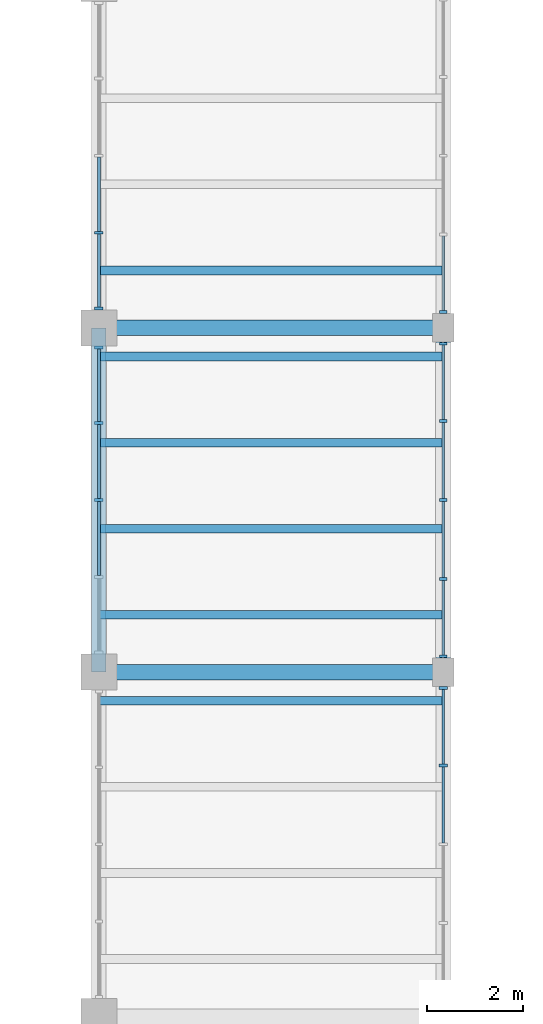
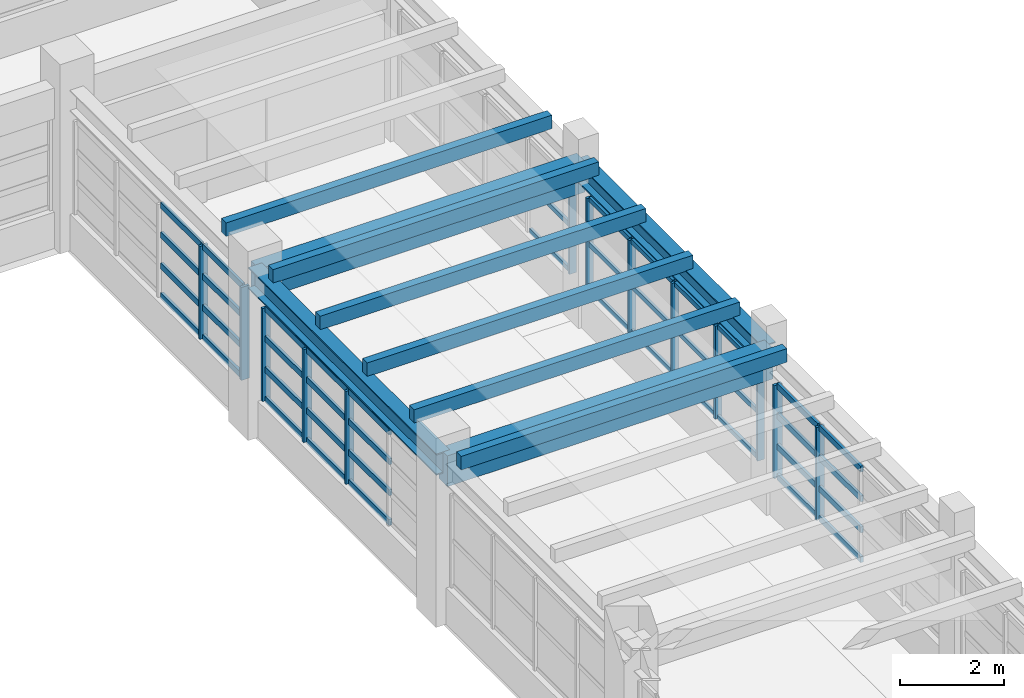
# One storey, part 5 of 69: 61 members, 4 beams, 5 elements without a shape of their own.
"""IFC4 building model written with IfcOpenShell, lengths in metres."""

from ifc_helpers import new_model, si_unit, direction, frame, origin, origin_2d, place, context, subcontext, project, spatial, rectangle, i_section, extrude, material, material_profile, profile_set, type_object, element, aggregate, save


model = new_model("IFC4")

# Units and contexts
model_context = context("Model", 3, precision=1e-05, world=origin(), true_north=direction((0.0, 1.0)))
body_context = subcontext(model_context, "Body", "Model", "MODEL_VIEW")
ifc_project = project(units=[si_unit("LENGTHUNIT", "METRE"), si_unit("AREAUNIT", "SQUARE_METRE"), si_unit("VOLUMEUNIT", "CUBIC_METRE"), si_unit("PLANEANGLEUNIT", "RADIAN"), si_unit("MASSUNIT", "GRAM", prefix="KILO")], contexts=[model_context])

# Site, building, storey
site_placement = place(None, origin())
site = spatial("IfcSite", under=ifc_project, at=site_placement, CompositionType="ELEMENT")
building_placement = place(site_placement, origin())
building = spatial("IfcBuilding", under=site, at=building_placement, Name="Nzembalo Square Collegiate School", CompositionType="ELEMENT")
storey_placement = place(building_placement, frame((0.0, 0.0, 5.10009765625)))
storey = spatial("IfcBuildingStorey", under=building, at=storey_placement, Name="L01", CompositionType="ELEMENT", Elevation=5.10009765625)

# Beams
ifc_material_1 = material(Name="Glulam GL32h", Category="wood")
ifc_material_profile_1 = material_profile(ifc_material_1, rectangle(XDim=0.320068359375, YDim=0.719970703125, at=origin_2d()), Name="GL32h 320x720")
ifc_profile_set_1 = profile_set([ifc_material_profile_1], Name="Glulam GL32h")
beam_type_1 = type_object("IfcBeamType", Name="B03", PredefinedType="BEAM", material=ifc_profile_set_1)
for number, where, z_axis, x_axis, name in (
    (1, (30.0, 30.0, 3.389892578125), (1.0, 0.0, 0.0), (0.0, 1.0, 0.0), "Beam B03 L01"),
    (2, (30.0, 37.199951171875, 3.389892578125), (1.0, 0.0, 0.0), (0.0, 1.0, 0.0), "Beam B03 L01"),
):
    element("IfcBeam", number, at=place(storey_placement, frame(where, z_axis=z_axis, x_axis=x_axis)), inside=storey, type_object=beam_type_1, Name=name, PredefinedType="BEAM", context=body_context, shape_type="SweptSolid", body=[
        extrude(rectangle(XDim=0.320068359375, YDim=0.719970703125, at=origin_2d()), origin(), (0.0, 0.0, 1.0), 7.199951171875),
    ])
ifc_material_2 = material(Name="Steel S355", Category="steel")
ifc_material_profile_2 = material_profile(ifc_material_2, i_section(OverallWidth=0.300048828125, OverallDepth=0.5, WebThickness=0.014404296875, FlangeThickness=0.028076171875, at=origin_2d()), Name="HEB 500")
ifc_profile_set_2 = profile_set([ifc_material_profile_2], Name="Steel S355")
beam_type_2 = type_object("IfcBeamType", Name="B07", PredefinedType="BEAM", material=ifc_profile_set_2)
beam_1_placement = place(storey_placement, frame((30.0, 30.0, 3.5), z_axis=(0.0, 1.0, 0.0), x_axis=(-1.0, 0.0, 0.0)))
element("IfcBeam", 3, at=beam_1_placement, inside=storey, type_object=beam_type_2, Name="Beam B07 L01", PredefinedType="BEAM", context=body_context, shape_type="SweptSolid", body=[
    extrude(i_section(OverallWidth=0.300048828125, OverallDepth=0.5, WebThickness=0.014404296875, FlangeThickness=0.028076171875, at=origin_2d()), origin(), (0.0, 0.0, 1.0), 7.199951171875),
])
ifc_material_3 = material(Name="Steel S355", Category="steel")
ifc_material_profile_3 = material_profile(ifc_material_3, i_section(OverallWidth=0.300048828125, OverallDepth=0.449951171875, WebThickness=0.013916015625, FlangeThickness=0.02587890625, at=origin_2d()), Name="HEB 450")
ifc_profile_set_3 = profile_set([ifc_material_profile_3], Name="Steel S355")
beam_type_3 = type_object("IfcBeamType", Name="B08", PredefinedType="BEAM", material=ifc_profile_set_3)
beam_2_placement = place(storey_placement, frame((37.199951171875, 30.0, 3.52490234375), z_axis=(0.0, 1.0, 0.0), x_axis=(-1.0, 0.0, 0.0)))
element("IfcBeam", 4, at=beam_2_placement, inside=storey, type_object=beam_type_3, Name="Beam B08 L01", PredefinedType="BEAM", context=body_context, shape_type="SweptSolid", body=[
    extrude(i_section(OverallWidth=0.300048828125, OverallDepth=0.449951171875, WebThickness=0.013916015625, FlangeThickness=0.02587890625, at=origin_2d()), origin(), (0.0, 0.0, 1.0), 7.199951171875),
])

# Curtain wall, members
ifc_material_4 = material(Name="Aluminium 6060-T66", Category="aluminium")
curtain_wall_type_1 = type_object("IfcCurtainWallType", Name="CW-02", PredefinedType="USERDEFINED", material=ifc_material_4)
curtain_wall_1_placement = place(storey_placement, origin())
curtain_wall_1 = element("IfcCurtainWall", 5, at=curtain_wall_1_placement, inside=storey, type_object=curtain_wall_type_1, Name="Curtain wall CW-02 cw:L01:041", ObjectType="UNITISED", PredefinedType="USERDEFINED")
ifc_material_5 = material(Name="Aluminium 6060-T66", Category="aluminium")
ifc_material_profile_4 = material_profile(ifc_material_5, rectangle(XDim=0.06005859375, YDim=0.179931640625, at=origin_2d()), Name="ALU M60x180")
ifc_profile_set_4 = profile_set([ifc_material_profile_4], Name="Aluminium 6060-T66")
member_type_1 = type_object("IfcMemberType", Name="ML01", PredefinedType="MULLION", material=ifc_profile_set_4)
member_1_placement = place(storey_placement, frame((37.199951171875, 28.049072265625, 0.849853515625), z_axis=(0.0, 0.0, 1.0), x_axis=(0.0, 1.0, 0.0)))
member_1 = element("IfcMember", 6, at=member_1_placement, type_object=member_type_1, Name="ML01 mullion 4", PredefinedType="MULLION", context=body_context, shape_type="SweptSolid", body=[
    extrude(rectangle(XDim=0.06005859375, YDim=0.179931640625, at=origin_2d()), origin(), (0.0, 0.0, 1.0), 2.174072265625),
])
member_2_placement = place(storey_placement, frame((37.199951171875, 29.66796875, 0.849853515625), z_axis=(0.0, 0.0, 1.0), x_axis=(0.0, 1.0, 0.0)))
member_2 = element("IfcMember", 7, at=member_2_placement, type_object=member_type_1, Name="ML01 mullion 5", PredefinedType="MULLION", context=body_context, shape_type="SweptSolid", body=[
    extrude(rectangle(XDim=0.06005859375, YDim=0.179931640625, at=origin_2d()), origin(), (0.0, 0.0, 1.0), 2.174072265625),
])

ifc_material_6 = material(Name="Aluminium 6060-T66", Category="aluminium")
curtain_wall_type_2 = type_object("IfcCurtainWallType", Name="CW-01", PredefinedType="USERDEFINED", material=ifc_material_6)
curtain_wall_2_placement = place(storey_placement, origin())
curtain_wall_2 = element("IfcCurtainWall", 8, at=curtain_wall_2_placement, inside=storey, type_object=curtain_wall_type_2, Name="Curtain wall CW-01 cw:L01:048", ObjectType="UNITISED", PredefinedType="USERDEFINED")
member_3_placement = place(storey_placement, frame((30.0, 33.60009765625, 0.849853515625), z_axis=(0.0, 0.0, 1.0), x_axis=(0.0, 1.0, 0.0)))
member_3 = element("IfcMember", 9, at=member_3_placement, type_object=member_type_1, Name="ML01 mullion 3", PredefinedType="MULLION", context=body_context, shape_type="SweptSolid", body=[
    extrude(rectangle(XDim=0.06005859375, YDim=0.179931640625, at=origin_2d()), origin(), (0.0, 0.0, 1.0), 2.174072265625),
])
member_4_placement = place(storey_placement, frame((30.0, 35.21142578125, 0.849853515625), z_axis=(0.0, 0.0, 1.0), x_axis=(0.0, 1.0, 0.0)))
member_4 = element("IfcMember", 10, at=member_4_placement, type_object=member_type_1, Name="ML01 mullion 4", PredefinedType="MULLION", context=body_context, shape_type="SweptSolid", body=[
    extrude(rectangle(XDim=0.06005859375, YDim=0.179931640625, at=origin_2d()), origin(), (0.0, 0.0, 1.0), 2.174072265625),
])
member_5_placement = place(storey_placement, frame((30.0, 36.79296875, 0.849853515625), z_axis=(0.0, 0.0, 1.0), x_axis=(0.0, 1.0, 0.0)))
member_5 = element("IfcMember", 11, at=member_5_placement, type_object=member_type_1, Name="ML01 mullion 5", PredefinedType="MULLION", context=body_context, shape_type="SweptSolid", body=[
    extrude(rectangle(XDim=0.06005859375, YDim=0.179931640625, at=origin_2d()), origin(), (0.0, 0.0, 1.0), 2.174072265625),
])

curtain_wall_3_placement = place(storey_placement, origin())
curtain_wall_3 = element("IfcCurtainWall", 12, at=curtain_wall_3_placement, inside=storey, type_object=curtain_wall_type_1, Name="Curtain wall CW-02 cw:L01:049", ObjectType="UNITISED", PredefinedType="USERDEFINED")
member_6_placement = place(storey_placement, frame((30.0, 37.60693359375, 0.849853515625), z_axis=(0.0, 0.0, 1.0), x_axis=(0.0, 1.0, 0.0)))
member_6 = element("IfcMember", 13, at=member_6_placement, type_object=member_type_1, Name="ML01 mullion 1", PredefinedType="MULLION", context=body_context, shape_type="SweptSolid", body=[
    extrude(rectangle(XDim=0.06005859375, YDim=0.179931640625, at=origin_2d()), origin(), (0.0, 0.0, 1.0), 2.174072265625),
])
member_7_placement = place(storey_placement, frame((30.0, 39.1884765625, 0.849853515625), z_axis=(0.0, 0.0, 1.0), x_axis=(0.0, 1.0, 0.0)))
member_7 = element("IfcMember", 14, at=member_7_placement, type_object=member_type_1, Name="ML01 mullion 2", PredefinedType="MULLION", context=body_context, shape_type="SweptSolid", body=[
    extrude(rectangle(XDim=0.06005859375, YDim=0.179931640625, at=origin_2d()), origin(), (0.0, 0.0, 1.0), 2.174072265625),
])

ifc_material_7 = material(Name="Aluminium 6060-T66", Category="aluminium")
curtain_wall_type_3 = type_object("IfcCurtainWallType", Name="CW-03", PredefinedType="USERDEFINED", material=ifc_material_7)
curtain_wall_4_placement = place(storey_placement, origin())
curtain_wall_4 = element("IfcCurtainWall", 15, at=curtain_wall_4_placement, inside=storey, type_object=curtain_wall_type_3, Name="Curtain wall CW-03 cw:L01:042", ObjectType="UNITISED", PredefinedType="USERDEFINED")
ifc_material_8 = material(Name="Aluminium 6060-T66", Category="aluminium")
ifc_material_profile_5 = material_profile(ifc_material_8, rectangle(XDim=0.06005859375, YDim=0.14990234375, at=origin_2d()), Name="ALU M60x150")
ifc_profile_set_5 = profile_set([ifc_material_profile_5], Name="Aluminium 6060-T66")
member_type_2 = type_object("IfcMemberType", Name="ML02", PredefinedType="MULLION", material=ifc_profile_set_5)
member_8_placement = place(storey_placement, frame((37.199951171875, 30.33203125, 0.849853515625), z_axis=(0.0, 0.0, 1.0), x_axis=(0.0, 1.0, 0.0)))
member_8 = element("IfcMember", 16, at=member_8_placement, type_object=member_type_2, Name="ML02 mullion 1", PredefinedType="MULLION", context=body_context, shape_type="SweptSolid", body=[
    extrude(rectangle(XDim=0.06005859375, YDim=0.14990234375, at=origin_2d()), origin(), (0.0, 0.0, 1.0), 2.174072265625),
])
member_9_placement = place(storey_placement, frame((37.199951171875, 31.950927734375, 0.849853515625), z_axis=(0.0, 0.0, 1.0), x_axis=(0.0, 1.0, 0.0)))
member_9 = element("IfcMember", 17, at=member_9_placement, type_object=member_type_2, Name="ML02 mullion 2", PredefinedType="MULLION", context=body_context, shape_type="SweptSolid", body=[
    extrude(rectangle(XDim=0.06005859375, YDim=0.14990234375, at=origin_2d()), origin(), (0.0, 0.0, 1.0), 2.174072265625),
])
member_10_placement = place(storey_placement, frame((37.199951171875, 33.60009765625, 0.849853515625), z_axis=(0.0, 0.0, 1.0), x_axis=(0.0, 1.0, 0.0)))
member_10 = element("IfcMember", 18, at=member_10_placement, type_object=member_type_2, Name="ML02 mullion 3", PredefinedType="MULLION", context=body_context, shape_type="SweptSolid", body=[
    extrude(rectangle(XDim=0.06005859375, YDim=0.14990234375, at=origin_2d()), origin(), (0.0, 0.0, 1.0), 2.174072265625),
])
member_11_placement = place(storey_placement, frame((37.199951171875, 35.2490234375, 0.849853515625), z_axis=(0.0, 0.0, 1.0), x_axis=(0.0, 1.0, 0.0)))
member_11 = element("IfcMember", 19, at=member_11_placement, type_object=member_type_2, Name="ML02 mullion 4", PredefinedType="MULLION", context=body_context, shape_type="SweptSolid", body=[
    extrude(rectangle(XDim=0.06005859375, YDim=0.14990234375, at=origin_2d()), origin(), (0.0, 0.0, 1.0), 2.174072265625),
])
member_12_placement = place(storey_placement, frame((37.199951171875, 36.867919921875, 0.849853515625), z_axis=(0.0, 0.0, 1.0), x_axis=(0.0, 1.0, 0.0)))
member_12 = element("IfcMember", 20, at=member_12_placement, type_object=member_type_2, Name="ML02 mullion 5", PredefinedType="MULLION", context=body_context, shape_type="SweptSolid", body=[
    extrude(rectangle(XDim=0.06005859375, YDim=0.14990234375, at=origin_2d()), origin(), (0.0, 0.0, 1.0), 2.174072265625),
])

# Curtain wall, member
ifc_material_9 = material(Name="Aluminium 6060-T66", Category="aluminium")
curtain_wall_type_4 = type_object("IfcCurtainWallType", Name="CW-04", PredefinedType="USERDEFINED", material=ifc_material_9)
curtain_wall_5_placement = place(storey_placement, origin())
curtain_wall_5 = element("IfcCurtainWall", 21, at=curtain_wall_5_placement, inside=storey, type_object=curtain_wall_type_4, Name="Curtain wall CW-04 cw:L01:043", ObjectType="UNITISED", PredefinedType="USERDEFINED")
member_13_placement = place(storey_placement, frame((37.199951171875, 37.531982421875, 0.849853515625), z_axis=(0.0, 0.0, 1.0), x_axis=(0.0, 1.0, 0.0)))
member_13 = element("IfcMember", 22, at=member_13_placement, type_object=member_type_2, Name="ML02 mullion 1", PredefinedType="MULLION", context=body_context, shape_type="SweptSolid", body=[
    extrude(rectangle(XDim=0.06005859375, YDim=0.14990234375, at=origin_2d()), origin(), (0.0, 0.0, 1.0), 2.174072265625),
])

# Member
ifc_material_10 = material(Name="Aluminium 6060-T66", Category="aluminium")
ifc_material_profile_6 = material_profile(ifc_material_10, rectangle(XDim=0.06005859375, YDim=0.139892578125, at=origin_2d()), Name="ALU T60x140")
ifc_profile_set_6 = profile_set([ifc_material_profile_6], Name="Aluminium 6060-T66")
member_type_3 = type_object("IfcMemberType", Name="TR01", PredefinedType="USERDEFINED", material=ifc_profile_set_6)
member_14_placement = place(storey_placement, frame((37.199951171875, 26.429931640625, 0.8798828125), z_axis=(0.0, 1.0, 0.0), x_axis=(-1.0, 0.0, 0.0)))
member_14 = element("IfcMember", 23, at=member_14_placement, type_object=member_type_3, Name="TR01 transom 1-3", ObjectType="TRANSOM", PredefinedType="USERDEFINED", context=body_context, shape_type="SweptSolid", body=[
    extrude(rectangle(XDim=0.06005859375, YDim=0.139892578125, at=origin_2d()), origin(), (0.0, 0.0, 1.0), 1.589111328125),
])

member_15_placement = place(storey_placement, frame((37.199951171875, 28.0791015625, 0.8798828125), z_axis=(0.0, 1.0, 0.0), x_axis=(-1.0, 0.0, 0.0)))
member_15 = element("IfcMember", 24, at=member_15_placement, type_object=member_type_3, Name="TR01 transom 1-4", ObjectType="TRANSOM", PredefinedType="USERDEFINED", context=body_context, shape_type="SweptSolid", body=[
    extrude(rectangle(XDim=0.06005859375, YDim=0.139892578125, at=origin_2d()), origin(), (0.0, 0.0, 1.0), 1.558837890625),
])

member_16_placement = place(storey_placement, frame((37.199951171875, 26.429931640625, 1.574462890625), z_axis=(0.0, 1.0, 0.0), x_axis=(-1.0, 0.0, 0.0)))
member_16 = element("IfcMember", 25, at=member_16_placement, type_object=member_type_3, Name="TR01 transom 2-3", ObjectType="TRANSOM", PredefinedType="USERDEFINED", context=body_context, shape_type="SweptSolid", body=[
    extrude(rectangle(XDim=0.06005859375, YDim=0.139892578125, at=origin_2d()), origin(), (0.0, 0.0, 1.0), 1.589111328125),
])

member_17_placement = place(storey_placement, frame((37.199951171875, 28.0791015625, 1.574462890625), z_axis=(0.0, 1.0, 0.0), x_axis=(-1.0, 0.0, 0.0)))
member_17 = element("IfcMember", 26, at=member_17_placement, type_object=member_type_3, Name="TR01 transom 2-4", ObjectType="TRANSOM", PredefinedType="USERDEFINED", context=body_context, shape_type="SweptSolid", body=[
    extrude(rectangle(XDim=0.06005859375, YDim=0.139892578125, at=origin_2d()), origin(), (0.0, 0.0, 1.0), 1.558837890625),
])

member_18_placement = place(storey_placement, frame((37.199951171875, 26.429931640625, 2.29931640625), z_axis=(0.0, 1.0, 0.0), x_axis=(-1.0, 0.0, 0.0)))
member_18 = element("IfcMember", 27, at=member_18_placement, type_object=member_type_3, Name="TR01 transom 3-3", ObjectType="TRANSOM", PredefinedType="USERDEFINED", context=body_context, shape_type="SweptSolid", body=[
    extrude(rectangle(XDim=0.06005859375, YDim=0.139892578125, at=origin_2d()), origin(), (0.0, 0.0, 1.0), 1.589111328125),
])

member_19_placement = place(storey_placement, frame((37.199951171875, 28.0791015625, 2.29931640625), z_axis=(0.0, 1.0, 0.0), x_axis=(-1.0, 0.0, 0.0)))
member_19 = element("IfcMember", 28, at=member_19_placement, type_object=member_type_3, Name="TR01 transom 3-4", ObjectType="TRANSOM", PredefinedType="USERDEFINED", context=body_context, shape_type="SweptSolid", body=[
    extrude(rectangle(XDim=0.06005859375, YDim=0.139892578125, at=origin_2d()), origin(), (0.0, 0.0, 1.0), 1.558837890625),
])

member_20_placement = place(storey_placement, frame((37.199951171875, 26.429931640625, 2.993896484375), z_axis=(0.0, 1.0, 0.0), x_axis=(-1.0, 0.0, 0.0)))
member_20 = element("IfcMember", 29, at=member_20_placement, type_object=member_type_3, Name="TR01 transom 4-3", ObjectType="TRANSOM", PredefinedType="USERDEFINED", context=body_context, shape_type="SweptSolid", body=[
    extrude(rectangle(XDim=0.06005859375, YDim=0.139892578125, at=origin_2d()), origin(), (0.0, 0.0, 1.0), 1.589111328125),
])

member_21_placement = place(storey_placement, frame((37.199951171875, 28.0791015625, 2.993896484375), z_axis=(0.0, 1.0, 0.0), x_axis=(-1.0, 0.0, 0.0)))
member_21 = element("IfcMember", 30, at=member_21_placement, type_object=member_type_3, Name="TR01 transom 4-4", ObjectType="TRANSOM", PredefinedType="USERDEFINED", context=body_context, shape_type="SweptSolid", body=[
    extrude(rectangle(XDim=0.06005859375, YDim=0.139892578125, at=origin_2d()), origin(), (0.0, 0.0, 1.0), 1.558837890625),
])

aggregate(curtain_wall_1, [member_1, member_2, member_14, member_15, member_16, member_17, member_18, member_19, member_20, member_21])

member_22_placement = place(storey_placement, frame((30.0, 32.0185546875, 0.8798828125), z_axis=(0.0, 1.0, 0.0), x_axis=(-1.0, 0.0, 0.0)))
member_22 = element("IfcMember", 31, at=member_22_placement, type_object=member_type_3, Name="TR01 transom 1-2", ObjectType="TRANSOM", PredefinedType="USERDEFINED", context=body_context, shape_type="SweptSolid", body=[
    extrude(rectangle(XDim=0.06005859375, YDim=0.139892578125, at=origin_2d()), origin(), (0.0, 0.0, 1.0), 1.551513671875),
])

member_23_placement = place(storey_placement, frame((30.0, 33.6298828125, 0.8798828125), z_axis=(0.0, 1.0, 0.0), x_axis=(-1.0, 0.0, 0.0)))
member_23 = element("IfcMember", 32, at=member_23_placement, type_object=member_type_3, Name="TR01 transom 1-3", ObjectType="TRANSOM", PredefinedType="USERDEFINED", context=body_context, shape_type="SweptSolid", body=[
    extrude(rectangle(XDim=0.06005859375, YDim=0.139892578125, at=origin_2d()), origin(), (0.0, 0.0, 1.0), 1.551513671875),
])

member_24_placement = place(storey_placement, frame((30.0, 35.241455078125, 0.8798828125), z_axis=(0.0, 1.0, 0.0), x_axis=(-1.0, 0.0, 0.0)))
member_24 = element("IfcMember", 33, at=member_24_placement, type_object=member_type_3, Name="TR01 transom 1-4", ObjectType="TRANSOM", PredefinedType="USERDEFINED", context=body_context, shape_type="SweptSolid", body=[
    extrude(rectangle(XDim=0.06005859375, YDim=0.139892578125, at=origin_2d()), origin(), (0.0, 0.0, 1.0), 1.521484375),
])

member_25_placement = place(storey_placement, frame((30.0, 32.0185546875, 1.574462890625), z_axis=(0.0, 1.0, 0.0), x_axis=(-1.0, 0.0, 0.0)))
member_25 = element("IfcMember", 34, at=member_25_placement, type_object=member_type_3, Name="TR01 transom 2-2", ObjectType="TRANSOM", PredefinedType="USERDEFINED", context=body_context, shape_type="SweptSolid", body=[
    extrude(rectangle(XDim=0.06005859375, YDim=0.139892578125, at=origin_2d()), origin(), (0.0, 0.0, 1.0), 1.551513671875),
])

member_26_placement = place(storey_placement, frame((30.0, 33.6298828125, 1.574462890625), z_axis=(0.0, 1.0, 0.0), x_axis=(-1.0, 0.0, 0.0)))
member_26 = element("IfcMember", 35, at=member_26_placement, type_object=member_type_3, Name="TR01 transom 2-3", ObjectType="TRANSOM", PredefinedType="USERDEFINED", context=body_context, shape_type="SweptSolid", body=[
    extrude(rectangle(XDim=0.06005859375, YDim=0.139892578125, at=origin_2d()), origin(), (0.0, 0.0, 1.0), 1.551513671875),
])

member_27_placement = place(storey_placement, frame((30.0, 35.241455078125, 1.574462890625), z_axis=(0.0, 1.0, 0.0), x_axis=(-1.0, 0.0, 0.0)))
member_27 = element("IfcMember", 36, at=member_27_placement, type_object=member_type_3, Name="TR01 transom 2-4", ObjectType="TRANSOM", PredefinedType="USERDEFINED", context=body_context, shape_type="SweptSolid", body=[
    extrude(rectangle(XDim=0.06005859375, YDim=0.139892578125, at=origin_2d()), origin(), (0.0, 0.0, 1.0), 1.521484375),
])

member_28_placement = place(storey_placement, frame((30.0, 32.0185546875, 2.29931640625), z_axis=(0.0, 1.0, 0.0), x_axis=(-1.0, 0.0, 0.0)))
member_28 = element("IfcMember", 37, at=member_28_placement, type_object=member_type_3, Name="TR01 transom 3-2", ObjectType="TRANSOM", PredefinedType="USERDEFINED", context=body_context, shape_type="SweptSolid", body=[
    extrude(rectangle(XDim=0.06005859375, YDim=0.139892578125, at=origin_2d()), origin(), (0.0, 0.0, 1.0), 1.551513671875),
])

member_29_placement = place(storey_placement, frame((30.0, 33.6298828125, 2.29931640625), z_axis=(0.0, 1.0, 0.0), x_axis=(-1.0, 0.0, 0.0)))
member_29 = element("IfcMember", 38, at=member_29_placement, type_object=member_type_3, Name="TR01 transom 3-3", ObjectType="TRANSOM", PredefinedType="USERDEFINED", context=body_context, shape_type="SweptSolid", body=[
    extrude(rectangle(XDim=0.06005859375, YDim=0.139892578125, at=origin_2d()), origin(), (0.0, 0.0, 1.0), 1.551513671875),
])

member_30_placement = place(storey_placement, frame((30.0, 35.241455078125, 2.29931640625), z_axis=(0.0, 1.0, 0.0), x_axis=(-1.0, 0.0, 0.0)))
member_30 = element("IfcMember", 39, at=member_30_placement, type_object=member_type_3, Name="TR01 transom 3-4", ObjectType="TRANSOM", PredefinedType="USERDEFINED", context=body_context, shape_type="SweptSolid", body=[
    extrude(rectangle(XDim=0.06005859375, YDim=0.139892578125, at=origin_2d()), origin(), (0.0, 0.0, 1.0), 1.521484375),
])

member_31_placement = place(storey_placement, frame((30.0, 32.0185546875, 2.993896484375), z_axis=(0.0, 1.0, 0.0), x_axis=(-1.0, 0.0, 0.0)))
member_31 = element("IfcMember", 40, at=member_31_placement, type_object=member_type_3, Name="TR01 transom 4-2", ObjectType="TRANSOM", PredefinedType="USERDEFINED", context=body_context, shape_type="SweptSolid", body=[
    extrude(rectangle(XDim=0.06005859375, YDim=0.139892578125, at=origin_2d()), origin(), (0.0, 0.0, 1.0), 1.551513671875),
])

member_32_placement = place(storey_placement, frame((30.0, 33.6298828125, 2.993896484375), z_axis=(0.0, 1.0, 0.0), x_axis=(-1.0, 0.0, 0.0)))
member_32 = element("IfcMember", 41, at=member_32_placement, type_object=member_type_3, Name="TR01 transom 4-3", ObjectType="TRANSOM", PredefinedType="USERDEFINED", context=body_context, shape_type="SweptSolid", body=[
    extrude(rectangle(XDim=0.06005859375, YDim=0.139892578125, at=origin_2d()), origin(), (0.0, 0.0, 1.0), 1.551513671875),
])

member_33_placement = place(storey_placement, frame((30.0, 35.241455078125, 2.993896484375), z_axis=(0.0, 1.0, 0.0), x_axis=(-1.0, 0.0, 0.0)))
member_33 = element("IfcMember", 42, at=member_33_placement, type_object=member_type_3, Name="TR01 transom 4-4", ObjectType="TRANSOM", PredefinedType="USERDEFINED", context=body_context, shape_type="SweptSolid", body=[
    extrude(rectangle(XDim=0.06005859375, YDim=0.139892578125, at=origin_2d()), origin(), (0.0, 0.0, 1.0), 1.521484375),
])

aggregate(curtain_wall_2, [member_3, member_4, member_5, member_22, member_23, member_24, member_25, member_26, member_27, member_28, member_29, member_30, member_31, member_32, member_33])

member_34_placement = place(storey_placement, frame((30.0, 37.636962890625, 0.8798828125), z_axis=(0.0, 1.0, 0.0), x_axis=(-1.0, 0.0, 0.0)))
member_34 = element("IfcMember", 43, at=member_34_placement, type_object=member_type_3, Name="TR01 transom 1-1", ObjectType="TRANSOM", PredefinedType="USERDEFINED", context=body_context, shape_type="SweptSolid", body=[
    extrude(rectangle(XDim=0.06005859375, YDim=0.139892578125, at=origin_2d()), origin(), (0.0, 0.0, 1.0), 1.521484375),
])

member_35_placement = place(storey_placement, frame((30.0, 39.218505859375, 0.8798828125), z_axis=(0.0, 1.0, 0.0), x_axis=(-1.0, 0.0, 0.0)))
member_35 = element("IfcMember", 44, at=member_35_placement, type_object=member_type_3, Name="TR01 transom 1-2", ObjectType="TRANSOM", PredefinedType="USERDEFINED", context=body_context, shape_type="SweptSolid", body=[
    extrude(rectangle(XDim=0.06005859375, YDim=0.139892578125, at=origin_2d()), origin(), (0.0, 0.0, 1.0), 1.551513671875),
])

member_36_placement = place(storey_placement, frame((30.0, 37.636962890625, 1.574462890625), z_axis=(0.0, 1.0, 0.0), x_axis=(-1.0, 0.0, 0.0)))
member_36 = element("IfcMember", 45, at=member_36_placement, type_object=member_type_3, Name="TR01 transom 2-1", ObjectType="TRANSOM", PredefinedType="USERDEFINED", context=body_context, shape_type="SweptSolid", body=[
    extrude(rectangle(XDim=0.06005859375, YDim=0.139892578125, at=origin_2d()), origin(), (0.0, 0.0, 1.0), 1.521484375),
])

member_37_placement = place(storey_placement, frame((30.0, 39.218505859375, 1.574462890625), z_axis=(0.0, 1.0, 0.0), x_axis=(-1.0, 0.0, 0.0)))
member_37 = element("IfcMember", 46, at=member_37_placement, type_object=member_type_3, Name="TR01 transom 2-2", ObjectType="TRANSOM", PredefinedType="USERDEFINED", context=body_context, shape_type="SweptSolid", body=[
    extrude(rectangle(XDim=0.06005859375, YDim=0.139892578125, at=origin_2d()), origin(), (0.0, 0.0, 1.0), 1.551513671875),
])

member_38_placement = place(storey_placement, frame((30.0, 37.636962890625, 2.29931640625), z_axis=(0.0, 1.0, 0.0), x_axis=(-1.0, 0.0, 0.0)))
member_38 = element("IfcMember", 47, at=member_38_placement, type_object=member_type_3, Name="TR01 transom 3-1", ObjectType="TRANSOM", PredefinedType="USERDEFINED", context=body_context, shape_type="SweptSolid", body=[
    extrude(rectangle(XDim=0.06005859375, YDim=0.139892578125, at=origin_2d()), origin(), (0.0, 0.0, 1.0), 1.521484375),
])

member_39_placement = place(storey_placement, frame((30.0, 39.218505859375, 2.29931640625), z_axis=(0.0, 1.0, 0.0), x_axis=(-1.0, 0.0, 0.0)))
member_39 = element("IfcMember", 48, at=member_39_placement, type_object=member_type_3, Name="TR01 transom 3-2", ObjectType="TRANSOM", PredefinedType="USERDEFINED", context=body_context, shape_type="SweptSolid", body=[
    extrude(rectangle(XDim=0.06005859375, YDim=0.139892578125, at=origin_2d()), origin(), (0.0, 0.0, 1.0), 1.551513671875),
])

member_40_placement = place(storey_placement, frame((30.0, 37.636962890625, 2.993896484375), z_axis=(0.0, 1.0, 0.0), x_axis=(-1.0, 0.0, 0.0)))
member_40 = element("IfcMember", 49, at=member_40_placement, type_object=member_type_3, Name="TR01 transom 4-1", ObjectType="TRANSOM", PredefinedType="USERDEFINED", context=body_context, shape_type="SweptSolid", body=[
    extrude(rectangle(XDim=0.06005859375, YDim=0.139892578125, at=origin_2d()), origin(), (0.0, 0.0, 1.0), 1.521484375),
])

member_41_placement = place(storey_placement, frame((30.0, 39.218505859375, 2.993896484375), z_axis=(0.0, 1.0, 0.0), x_axis=(-1.0, 0.0, 0.0)))
member_41 = element("IfcMember", 50, at=member_41_placement, type_object=member_type_3, Name="TR01 transom 4-2", ObjectType="TRANSOM", PredefinedType="USERDEFINED", context=body_context, shape_type="SweptSolid", body=[
    extrude(rectangle(XDim=0.06005859375, YDim=0.139892578125, at=origin_2d()), origin(), (0.0, 0.0, 1.0), 1.551513671875),
])

aggregate(curtain_wall_3, [member_6, member_7, member_34, member_35, member_36, member_37, member_38, member_39, member_40, member_41])

ifc_material_11 = material(Name="Aluminium 6060-T66", Category="aluminium")
ifc_material_profile_7 = material_profile(ifc_material_11, rectangle(XDim=0.06005859375, YDim=0.110107421875, at=origin_2d()), Name="ALU T60x110")
ifc_profile_set_7 = profile_set([ifc_material_profile_7], Name="Aluminium 6060-T66")
member_type_4 = type_object("IfcMemberType", Name="TR02", PredefinedType="USERDEFINED", material=ifc_profile_set_7)
member_42_placement = place(storey_placement, frame((37.199951171875, 30.362060546875, 0.8798828125), z_axis=(0.0, 1.0, 0.0), x_axis=(-1.0, 0.0, 0.0)))
member_42 = element("IfcMember", 51, at=member_42_placement, type_object=member_type_4, Name="TR02 transom 1-1", ObjectType="TRANSOM", PredefinedType="USERDEFINED", context=body_context, shape_type="SweptSolid", body=[
    extrude(rectangle(XDim=0.06005859375, YDim=0.110107421875, at=origin_2d()), origin(), (0.0, 0.0, 1.0), 1.558837890625),
])

member_43_placement = place(storey_placement, frame((37.199951171875, 31.98095703125, 0.8798828125), z_axis=(0.0, 1.0, 0.0), x_axis=(-1.0, 0.0, 0.0)))
member_43 = element("IfcMember", 52, at=member_43_placement, type_object=member_type_4, Name="TR02 transom 1-2", ObjectType="TRANSOM", PredefinedType="USERDEFINED", context=body_context, shape_type="SweptSolid", body=[
    extrude(rectangle(XDim=0.06005859375, YDim=0.110107421875, at=origin_2d()), origin(), (0.0, 0.0, 1.0), 1.589111328125),
])

member_44_placement = place(storey_placement, frame((37.199951171875, 33.6298828125, 0.8798828125), z_axis=(0.0, 1.0, 0.0), x_axis=(-1.0, 0.0, 0.0)))
member_44 = element("IfcMember", 53, at=member_44_placement, type_object=member_type_4, Name="TR02 transom 1-3", ObjectType="TRANSOM", PredefinedType="USERDEFINED", context=body_context, shape_type="SweptSolid", body=[
    extrude(rectangle(XDim=0.06005859375, YDim=0.110107421875, at=origin_2d()), origin(), (0.0, 0.0, 1.0), 1.589111328125),
])

member_45_placement = place(storey_placement, frame((37.199951171875, 35.279052734375, 0.8798828125), z_axis=(0.0, 1.0, 0.0), x_axis=(-1.0, 0.0, 0.0)))
member_45 = element("IfcMember", 54, at=member_45_placement, type_object=member_type_4, Name="TR02 transom 1-4", ObjectType="TRANSOM", PredefinedType="USERDEFINED", context=body_context, shape_type="SweptSolid", body=[
    extrude(rectangle(XDim=0.06005859375, YDim=0.110107421875, at=origin_2d()), origin(), (0.0, 0.0, 1.0), 1.558837890625),
])

member_46_placement = place(storey_placement, frame((37.199951171875, 30.362060546875, 1.93701171875), z_axis=(0.0, 1.0, 0.0), x_axis=(-1.0, 0.0, 0.0)))
member_46 = element("IfcMember", 55, at=member_46_placement, type_object=member_type_4, Name="TR02 transom 2-1", ObjectType="TRANSOM", PredefinedType="USERDEFINED", context=body_context, shape_type="SweptSolid", body=[
    extrude(rectangle(XDim=0.06005859375, YDim=0.110107421875, at=origin_2d()), origin(), (0.0, 0.0, 1.0), 1.558837890625),
])

member_47_placement = place(storey_placement, frame((37.199951171875, 31.98095703125, 1.93701171875), z_axis=(0.0, 1.0, 0.0), x_axis=(-1.0, 0.0, 0.0)))
member_47 = element("IfcMember", 56, at=member_47_placement, type_object=member_type_4, Name="TR02 transom 2-2", ObjectType="TRANSOM", PredefinedType="USERDEFINED", context=body_context, shape_type="SweptSolid", body=[
    extrude(rectangle(XDim=0.06005859375, YDim=0.110107421875, at=origin_2d()), origin(), (0.0, 0.0, 1.0), 1.589111328125),
])

member_48_placement = place(storey_placement, frame((37.199951171875, 33.6298828125, 1.93701171875), z_axis=(0.0, 1.0, 0.0), x_axis=(-1.0, 0.0, 0.0)))
member_48 = element("IfcMember", 57, at=member_48_placement, type_object=member_type_4, Name="TR02 transom 2-3", ObjectType="TRANSOM", PredefinedType="USERDEFINED", context=body_context, shape_type="SweptSolid", body=[
    extrude(rectangle(XDim=0.06005859375, YDim=0.110107421875, at=origin_2d()), origin(), (0.0, 0.0, 1.0), 1.589111328125),
])

member_49_placement = place(storey_placement, frame((37.199951171875, 35.279052734375, 1.93701171875), z_axis=(0.0, 1.0, 0.0), x_axis=(-1.0, 0.0, 0.0)))
member_49 = element("IfcMember", 58, at=member_49_placement, type_object=member_type_4, Name="TR02 transom 2-4", ObjectType="TRANSOM", PredefinedType="USERDEFINED", context=body_context, shape_type="SweptSolid", body=[
    extrude(rectangle(XDim=0.06005859375, YDim=0.110107421875, at=origin_2d()), origin(), (0.0, 0.0, 1.0), 1.558837890625),
])

member_50_placement = place(storey_placement, frame((37.199951171875, 30.362060546875, 2.993896484375), z_axis=(0.0, 1.0, 0.0), x_axis=(-1.0, 0.0, 0.0)))
member_50 = element("IfcMember", 59, at=member_50_placement, type_object=member_type_4, Name="TR02 transom 3-1", ObjectType="TRANSOM", PredefinedType="USERDEFINED", context=body_context, shape_type="SweptSolid", body=[
    extrude(rectangle(XDim=0.06005859375, YDim=0.110107421875, at=origin_2d()), origin(), (0.0, 0.0, 1.0), 1.558837890625),
])

member_51_placement = place(storey_placement, frame((37.199951171875, 31.98095703125, 2.993896484375), z_axis=(0.0, 1.0, 0.0), x_axis=(-1.0, 0.0, 0.0)))
member_51 = element("IfcMember", 60, at=member_51_placement, type_object=member_type_4, Name="TR02 transom 3-2", ObjectType="TRANSOM", PredefinedType="USERDEFINED", context=body_context, shape_type="SweptSolid", body=[
    extrude(rectangle(XDim=0.06005859375, YDim=0.110107421875, at=origin_2d()), origin(), (0.0, 0.0, 1.0), 1.589111328125),
])

member_52_placement = place(storey_placement, frame((37.199951171875, 33.6298828125, 2.993896484375), z_axis=(0.0, 1.0, 0.0), x_axis=(-1.0, 0.0, 0.0)))
member_52 = element("IfcMember", 61, at=member_52_placement, type_object=member_type_4, Name="TR02 transom 3-3", ObjectType="TRANSOM", PredefinedType="USERDEFINED", context=body_context, shape_type="SweptSolid", body=[
    extrude(rectangle(XDim=0.06005859375, YDim=0.110107421875, at=origin_2d()), origin(), (0.0, 0.0, 1.0), 1.589111328125),
])

member_53_placement = place(storey_placement, frame((37.199951171875, 35.279052734375, 2.993896484375), z_axis=(0.0, 1.0, 0.0), x_axis=(-1.0, 0.0, 0.0)))
member_53 = element("IfcMember", 62, at=member_53_placement, type_object=member_type_4, Name="TR02 transom 3-4", ObjectType="TRANSOM", PredefinedType="USERDEFINED", context=body_context, shape_type="SweptSolid", body=[
    extrude(rectangle(XDim=0.06005859375, YDim=0.110107421875, at=origin_2d()), origin(), (0.0, 0.0, 1.0), 1.558837890625),
])

aggregate(curtain_wall_4, [member_8, member_9, member_10, member_11, member_12, member_42, member_43, member_44, member_45, member_46, member_47, member_48, member_49, member_50, member_51, member_52, member_53])

member_54_placement = place(storey_placement, frame((37.199951171875, 37.56201171875, 0.8798828125), z_axis=(0.0, 1.0, 0.0), x_axis=(-1.0, 0.0, 0.0)))
member_54 = element("IfcMember", 63, at=member_54_placement, type_object=member_type_4, Name="TR02 transom 1-1", ObjectType="TRANSOM", PredefinedType="USERDEFINED", context=body_context, shape_type="SweptSolid", body=[
    extrude(rectangle(XDim=0.06005859375, YDim=0.110107421875, at=origin_2d()), origin(), (0.0, 0.0, 1.0), 1.55908203125),
])

member_55_placement = place(storey_placement, frame((37.199951171875, 37.56201171875, 1.93701171875), z_axis=(0.0, 1.0, 0.0), x_axis=(-1.0, 0.0, 0.0)))
member_55 = element("IfcMember", 64, at=member_55_placement, type_object=member_type_4, Name="TR02 transom 2-1", ObjectType="TRANSOM", PredefinedType="USERDEFINED", context=body_context, shape_type="SweptSolid", body=[
    extrude(rectangle(XDim=0.06005859375, YDim=0.110107421875, at=origin_2d()), origin(), (0.0, 0.0, 1.0), 1.55908203125),
])

aggregate(curtain_wall_5, [member_13, member_54, member_55])

# Members
ifc_material_12 = material(Name="Glulam GL28h", Category="wood")
ifc_material_profile_8 = material_profile(ifc_material_12, rectangle(XDim=0.179931640625, YDim=0.320068359375, at=origin_2d()), Name="GL28h 180x320")
ifc_profile_set_8 = profile_set([ifc_material_profile_8], Name="Glulam GL28h")
member_type_5 = type_object("IfcMemberType", Name="PR01", PredefinedType="PURLIN", material=ifc_profile_set_8)
for number, where, z_axis, x_axis, name in (
    (65, (30.0, 29.39990234375, 3.89990234375), (1.0, 0.0, 0.0), (0.0, 1.0, 0.0), "Planted roof purlin PR01-GA-12"),
    (66, (30.0, 31.199951171875, 3.89990234375), (1.0, 0.0, 0.0), (0.0, 1.0, 0.0), "Planted roof purlin PR01-GA-13"),
    (67, (30.0, 33.0, 3.89990234375), (1.0, 0.0, 0.0), (0.0, 1.0, 0.0), "Planted roof purlin PR01-GA-14"),
    (68, (30.0, 34.800048828125, 3.89990234375), (1.0, 0.0, 0.0), (0.0, 1.0, 0.0), "Planted roof purlin PR01-GA-15"),
    (69, (30.0, 36.60009765625, 3.89990234375), (1.0, 0.0, 0.0), (0.0, 1.0, 0.0), "Planted roof purlin PR01-GA-16"),
    (70, (30.0, 38.39990234375, 3.89990234375), (1.0, 0.0, 0.0), (0.0, 1.0, 0.0), "Planted roof purlin PR01-GA-17"),
):
    element("IfcMember", number, at=place(storey_placement, frame(where, z_axis=z_axis, x_axis=x_axis)), inside=storey, type_object=member_type_5, Name=name, PredefinedType="PURLIN", context=body_context, shape_type="SweptSolid", body=[
        extrude(rectangle(XDim=0.179931640625, YDim=0.320068359375, at=origin_2d()), origin(), (0.0, 0.0, 1.0), 7.199951171875),
    ])

save(model, "model.ifc")
